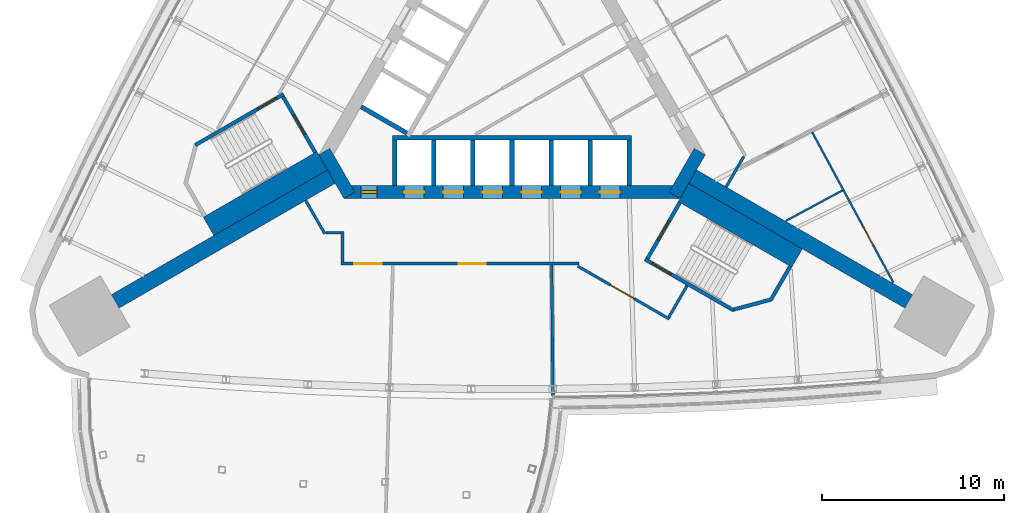
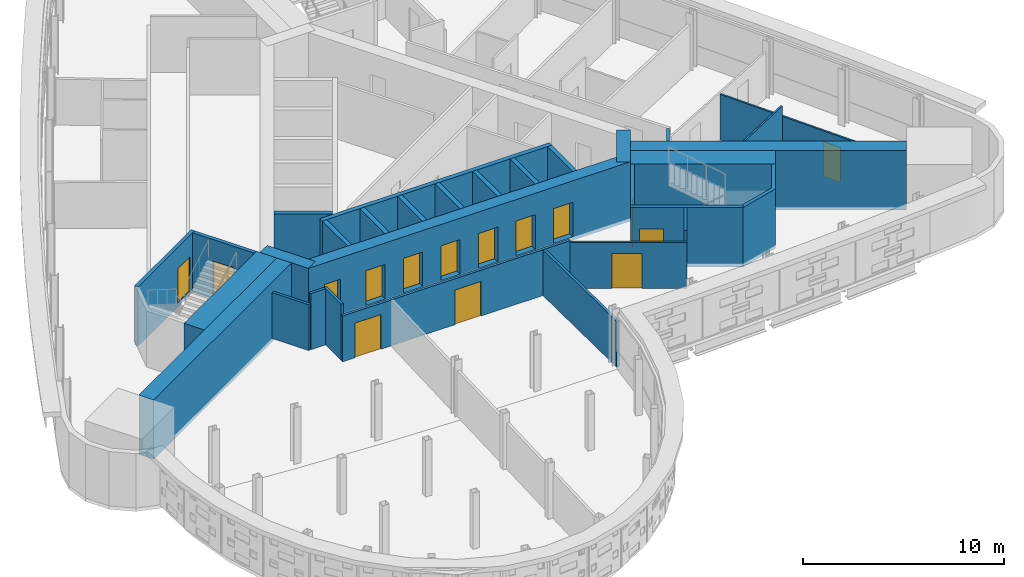
# One storey, part 9 of 15: 31 walls, 15 doors, 15 openings.
"""IFC4 building model written with IfcOpenShell, lengths in metres."""

from ifc_helpers import new_model, si_unit, direction, frame, frame_2d, origin, place, context, subcontext, project, spatial, polyline, rectangle, outline, extrude, material, layer, layer_set, type_object, element, fill, save


model = new_model("IFC4")

# Units and contexts
model_context = context("Model", 3, precision=1e-05, world=origin(), true_north=direction((0.0, 1.0)))
body_context = subcontext(model_context, "Body", "Model", "MODEL_VIEW")
ifc_project = project(units=[si_unit("LENGTHUNIT", "METRE"), si_unit("AREAUNIT", "SQUARE_METRE"), si_unit("VOLUMEUNIT", "CUBIC_METRE"), si_unit("PLANEANGLEUNIT", "RADIAN"), si_unit("MASSUNIT", "GRAM", prefix="KILO")], contexts=[model_context])

# Site, building, storey
site_placement = place(None, origin())
site = spatial("IfcSite", under=ifc_project, at=site_placement, CompositionType="ELEMENT")
building_placement = place(site_placement, origin())
building = spatial("IfcBuilding", under=site, at=building_placement, Name="Noor Cloister Tower", CompositionType="ELEMENT")
storey_placement = place(building_placement, frame((0.0, 0.0, 58.199951171875)))
storey = spatial("IfcBuildingStorey", under=building, at=storey_placement, Name="L14", CompositionType="ELEMENT", Elevation=58.199951171875)

# Walls
ifc_material_1 = material(Name="Concrete C80/95", Category="concrete")
ifc_layer_1 = layer(ifc_material_1, 0.85009765625)
ifc_layer_set_1 = layer_set([ifc_layer_1], Name="Buttress wall 850 C80/95")
wall_type_1 = type_object("IfcWallType", Name="Buttress wall 850 C80/95", PredefinedType="SHEAR", material=ifc_layer_set_1)
for number, where, z_axis, x_axis, name in (
    (1, (-9.921630859375, -5.728271484375, -0.199951171875), (0.0, 0.0, 1.0), (-0.866030067197, -0.499991922645, 0.0), "Buttress wall SW L14"),
    (2, (9.921630859375, -5.728271484375, -0.199951171875), (0.0, 0.0, 1.0), (0.866030067197, -0.499991922645, 0.0), "Buttress wall SE L14"),
):
    element("IfcWall", number, at=place(storey_placement, frame(where, z_axis=z_axis, x_axis=x_axis)), inside=storey, type_object=wall_type_1, Name=name, PredefinedType="SHEAR", context=body_context, shape_type="SweptSolid", body=[
        extrude(rectangle(XDim=13.698486328125, YDim=0.85009765625, at=frame_2d((6.84912109375, 0.0))), origin(), (0.0, 0.0, 1.0), 3.60009765625),
    ])

# Wall, openings, doors
ifc_material_2 = material(Name="Concrete C80/95", Category="concrete")
ifc_layer_2 = layer(ifc_material_2, 0.699951171875)
ifc_layer_set_2 = layer_set([ifc_layer_2], Name="Core wall 700 C80/95")
wall_type_2 = type_object("IfcWallType", Name="Core wall 700 C80/95", PredefinedType="SHEAR", material=ifc_layer_set_2)
wall_1_placement = place(storey_placement, frame((-9.228759765625, -6.578125, -0.199951171875), z_axis=(0.0, 0.0, 1.0), x_axis=(1.0, 0.0, 0.0)))
wall_1 = element("IfcWall", 3, at=wall_1_placement, inside=storey, type_object=wall_type_2, Name="Core wall L14 1", PredefinedType="SHEAR", context=body_context, shape_type="SweptSolid", body=[
    extrude(rectangle(XDim=18.45751953125, YDim=0.699951171875, at=frame_2d((9.228759765625, 0.0))), origin(), (0.0, 0.0, 1.0), 3.60009765625),
])
opening_1_placement = place(wall_1_placement, frame((3.3037109375, 0.0, 0.199951171875)))
opening_1 = element("IfcOpeningElement", 4, at=opening_1_placement, cuts=wall_1, Name="Opening L14-LR1", PredefinedType="OPENING", context=body_context, shape_type="SweptSolid", body=[
    extrude(rectangle(XDim=1.10009765625, YDim=2.10009765625, at=frame_2d((0.550048828125, 1.050048828125))), frame((0.0, 0.35986328125, 0.0), z_axis=(0.0, -1.0, 0.0), x_axis=(1.0, 0.0, 0.0)), (0.0, 0.0, 1.0), 0.719970703125),
])
opening_2_placement = place(wall_1_placement, frame((5.45361328125, 0.0, 0.199951171875)))
opening_2 = element("IfcOpeningElement", 5, at=opening_2_placement, cuts=wall_1, Name="Opening L14-LR2", PredefinedType="OPENING", context=body_context, shape_type="SweptSolid", body=[
    extrude(rectangle(XDim=1.10009765625, YDim=2.10009765625, at=frame_2d((0.550048828125, 1.050048828125))), frame((0.0, 0.35986328125, 0.0), z_axis=(0.0, -1.0, 0.0), x_axis=(1.0, 0.0, 0.0)), (0.0, 0.0, 1.0), 0.719970703125),
])
opening_3_placement = place(wall_1_placement, frame((7.603759765625, 0.0, 0.199951171875)))
opening_3 = element("IfcOpeningElement", 6, at=opening_3_placement, cuts=wall_1, Name="Opening L14-LR3", PredefinedType="OPENING", context=body_context, shape_type="SweptSolid", body=[
    extrude(rectangle(XDim=1.10009765625, YDim=2.10009765625, at=frame_2d((0.550048828125, 1.050048828125))), frame((0.0, 0.35986328125, 0.0), z_axis=(0.0, -1.0, 0.0), x_axis=(1.0, 0.0, 0.0)), (0.0, 0.0, 1.0), 0.719970703125),
])
opening_4_placement = place(wall_1_placement, frame((9.753662109375, 0.0, 0.199951171875)))
opening_4 = element("IfcOpeningElement", 7, at=opening_4_placement, cuts=wall_1, Name="Opening L14-LR4", PredefinedType="OPENING", context=body_context, shape_type="SweptSolid", body=[
    extrude(rectangle(XDim=1.10009765625, YDim=2.10009765625, at=frame_2d((0.550048828125, 1.050048828125))), frame((0.0, 0.35986328125, 0.0), z_axis=(0.0, -1.0, 0.0), x_axis=(1.0, 0.0, 0.0)), (0.0, 0.0, 1.0), 0.719970703125),
])
opening_5_placement = place(wall_1_placement, frame((11.90380859375, 0.0, 0.199951171875)))
opening_5 = element("IfcOpeningElement", 8, at=opening_5_placement, cuts=wall_1, Name="Opening L14-LR5", PredefinedType="OPENING", context=body_context, shape_type="SweptSolid", body=[
    extrude(rectangle(XDim=1.10009765625, YDim=2.10009765625, at=frame_2d((0.550048828125, 1.050048828125))), frame((0.0, 0.35986328125, 0.0), z_axis=(0.0, -1.0, 0.0), x_axis=(1.0, 0.0, 0.0)), (0.0, 0.0, 1.0), 0.719970703125),
])
opening_6_placement = place(wall_1_placement, frame((14.0537109375, 0.0, 0.199951171875)))
opening_6 = element("IfcOpeningElement", 9, at=opening_6_placement, cuts=wall_1, Name="Opening L14-LR6", PredefinedType="OPENING", context=body_context, shape_type="SweptSolid", body=[
    extrude(rectangle(XDim=1.10009765625, YDim=2.10009765625, at=frame_2d((0.550048828125, 1.050048828125))), frame((0.0, 0.35986328125, 0.0), z_axis=(0.0, -1.0, 0.0), x_axis=(1.0, 0.0, 0.0)), (0.0, 0.0, 1.0), 0.719970703125),
])
opening_7_placement = place(wall_1_placement, frame((0.92626953125, 0.0, 0.199951171875)))
opening_7 = element("IfcOpeningElement", 10, at=opening_7_placement, cuts=wall_1, Name="Opening L14-907", PredefinedType="OPENING", context=body_context, shape_type="SweptSolid", body=[
    extrude(rectangle(XDim=0.89990234375, YDim=2.10009765625, at=frame_2d((0.449951171875, 1.050048828125))), frame((0.0, 0.35986328125, 0.0), z_axis=(0.0, -1.0, 0.0), x_axis=(1.0, 0.0, 0.0)), (0.0, 0.0, 1.0), 0.719970703125),
])
ifc_material_3 = material(Name="Steel", Category="steel")
door_type_1 = type_object("IfcDoorType", Name="Core door 900 x 2100 FD60", OperationType="SINGLE_SWING_LEFT", PredefinedType="DOOR", material=ifc_material_3)
door_1_placement = place(opening_7_placement, origin())
door_1 = element("IfcDoor", 11, at=door_1_placement, inside=storey, type_object=door_type_1, Name="Core door 7 L14", OperationType="SINGLE_SWING_LEFT", OverallHeight=2.10009765625, OverallWidth=0.89990234375, PredefinedType="DOOR", context=body_context, shape_type="SweptSolid", body=[
    extrude(rectangle(XDim=0.89990234375, YDim=2.10009765625, at=frame_2d((0.449951171875, 1.050048828125))), frame((0.0, 0.074951171875, 0.0), z_axis=(0.0, -1.0, 0.0), x_axis=(1.0, 0.0, 0.0)), (0.0, 0.0, 1.0), 0.14990234375),
])
fill(opening_7, door_1)
ifc_material_4 = material(Name="Stainless steel", Category="steel")
door_type_2 = type_object("IfcDoorType", Name="Lift landing door 1100 x 2100", OperationType="DOUBLE_DOOR_SLIDING", PredefinedType="DOOR", material=ifc_material_4)
door_2_placement = place(opening_1_placement, origin())
door_2 = element("IfcDoor", 12, at=door_2_placement, inside=storey, type_object=door_type_2, Name="Landing door LR1 L14", OperationType="DOUBLE_DOOR_SLIDING", OverallHeight=2.10009765625, OverallWidth=1.10009765625, PredefinedType="DOOR", context=body_context, shape_type="SweptSolid", body=[
    extrude(rectangle(XDim=1.10009765625, YDim=2.10009765625, at=frame_2d((0.550048828125, 1.050048828125))), frame((0.0, 0.02490234375, 0.0), z_axis=(0.0, -1.0, 0.0), x_axis=(1.0, 0.0, 0.0)), (0.0, 0.0, 1.0), 0.050048828125),
])
fill(opening_1, door_2)
door_3_placement = place(opening_2_placement, origin())
door_3 = element("IfcDoor", 13, at=door_3_placement, inside=storey, type_object=door_type_2, Name="Landing door LR2 L14", OperationType="DOUBLE_DOOR_SLIDING", OverallHeight=2.10009765625, OverallWidth=1.10009765625, PredefinedType="DOOR", context=body_context, shape_type="SweptSolid", body=[
    extrude(rectangle(XDim=1.10009765625, YDim=2.10009765625, at=frame_2d((0.550048828125, 1.050048828125))), frame((0.0, 0.02490234375, 0.0), z_axis=(0.0, -1.0, 0.0), x_axis=(1.0, 0.0, 0.0)), (0.0, 0.0, 1.0), 0.050048828125),
])
fill(opening_2, door_3)
door_4_placement = place(opening_3_placement, origin())
door_4 = element("IfcDoor", 14, at=door_4_placement, inside=storey, type_object=door_type_2, Name="Landing door LR3 L14", OperationType="DOUBLE_DOOR_SLIDING", OverallHeight=2.10009765625, OverallWidth=1.10009765625, PredefinedType="DOOR", context=body_context, shape_type="SweptSolid", body=[
    extrude(rectangle(XDim=1.10009765625, YDim=2.10009765625, at=frame_2d((0.550048828125, 1.050048828125))), frame((0.0, 0.02490234375, 0.0), z_axis=(0.0, -1.0, 0.0), x_axis=(1.0, 0.0, 0.0)), (0.0, 0.0, 1.0), 0.050048828125),
])
fill(opening_3, door_4)
door_5_placement = place(opening_4_placement, origin())
door_5 = element("IfcDoor", 15, at=door_5_placement, inside=storey, type_object=door_type_2, Name="Landing door LR4 L14", OperationType="DOUBLE_DOOR_SLIDING", OverallHeight=2.10009765625, OverallWidth=1.10009765625, PredefinedType="DOOR", context=body_context, shape_type="SweptSolid", body=[
    extrude(rectangle(XDim=1.10009765625, YDim=2.10009765625, at=frame_2d((0.550048828125, 1.050048828125))), frame((0.0, 0.02490234375, 0.0), z_axis=(0.0, -1.0, 0.0), x_axis=(1.0, 0.0, 0.0)), (0.0, 0.0, 1.0), 0.050048828125),
])
fill(opening_4, door_5)
door_6_placement = place(opening_5_placement, origin())
door_6 = element("IfcDoor", 16, at=door_6_placement, inside=storey, type_object=door_type_2, Name="Landing door LR5 L14", OperationType="DOUBLE_DOOR_SLIDING", OverallHeight=2.10009765625, OverallWidth=1.10009765625, PredefinedType="DOOR", context=body_context, shape_type="SweptSolid", body=[
    extrude(rectangle(XDim=1.10009765625, YDim=2.10009765625, at=frame_2d((0.550048828125, 1.050048828125))), frame((0.0, 0.02490234375, 0.0), z_axis=(0.0, -1.0, 0.0), x_axis=(1.0, 0.0, 0.0)), (0.0, 0.0, 1.0), 0.050048828125),
])
fill(opening_5, door_6)
door_7_placement = place(opening_6_placement, origin())
door_7 = element("IfcDoor", 17, at=door_7_placement, inside=storey, type_object=door_type_2, Name="Landing door LR6 L14", OperationType="DOUBLE_DOOR_SLIDING", OverallHeight=2.10009765625, OverallWidth=1.10009765625, PredefinedType="DOOR", context=body_context, shape_type="SweptSolid", body=[
    extrude(rectangle(XDim=1.10009765625, YDim=2.10009765625, at=frame_2d((0.550048828125, 1.050048828125))), frame((0.0, 0.02490234375, 0.0), z_axis=(0.0, -1.0, 0.0), x_axis=(1.0, 0.0, 0.0)), (0.0, 0.0, 1.0), 0.050048828125),
])
fill(opening_6, door_7)

# Walls
for number, where, z_axis, x_axis, name in (
    (18, (8.925537109375, -6.753173828125, -0.199951171875), (0.0, 0.0, 1.0), (0.500042739161, 0.866000726912, 0.0), "Core wall L14 2"),
    (19, (-10.311279296875, -4.353271484375, -0.199951171875), (0.0, 0.0, 1.0), (0.500042739161, -0.866000726912, 0.0), "Core wall L14 6"),
):
    element("IfcWall", number, at=place(storey_placement, frame(where, z_axis=z_axis, x_axis=x_axis)), inside=storey, type_object=wall_type_2, Name=name, PredefinedType="SHEAR", context=body_context, shape_type="SweptSolid", body=[
        extrude(rectangle(XDim=2.771240234375, YDim=0.699951171875, at=frame_2d((1.3857421875, 0.0))), origin(), (0.0, 0.0, 1.0), 3.60009765625),
    ])

# Wall, openings, doors
ifc_material_5 = material(Name="Gypsum board partition on steel studs, 150 mm", Category="steel")
ifc_layer_3 = layer(ifc_material_5, 0.14990234375)
ifc_layer_set_3 = layer_set([ifc_layer_3], Name="Flat wall 150")
wall_type_3 = type_object("IfcWallType", Name="Flat wall 150", PredefinedType="PARTITIONING", material=ifc_layer_set_3)
wall_2_placement = place(storey_placement, frame((3.68896484375, -10.503173828125, 0.0), z_axis=(0.0, 0.0, 1.0), x_axis=(-1.0, 0.0, 0.0)))
wall_2 = element("IfcWall", 20, at=wall_2_placement, inside=storey, type_object=wall_type_3, Name="Flat wall 150 L14 004", PredefinedType="PARTITIONING", context=body_context, shape_type="SweptSolid", body=[
    extrude(rectangle(XDim=13.067626953125, YDim=0.14990234375, at=frame_2d((6.53369140625, 0.0))), origin(), (0.0, 0.0, 1.0), 2.778076171875),
])
opening_8_placement = place(wall_2_placement, frame((10.851806640625, 0.0, 0.0)))
opening_8 = element("IfcOpeningElement", 21, at=opening_8_placement, cuts=wall_2, Name="Opening L14-009", PredefinedType="OPENING", context=body_context, shape_type="SweptSolid", body=[
    extrude(rectangle(XDim=1.5, YDim=2.10009765625, at=frame_2d((0.75, 1.050048828125))), frame((0.0, 0.0849609375, 0.0), z_axis=(0.0, -1.0, 0.0), x_axis=(1.0, 0.0, 0.0)), (0.0, 0.0, 1.0), 0.169921875),
])
opening_9_placement = place(wall_2_placement, frame((5.119384765625, 0.0, 0.0)))
opening_9 = element("IfcOpeningElement", 22, at=opening_9_placement, cuts=wall_2, Name="Opening L14-010", PredefinedType="OPENING", context=body_context, shape_type="SweptSolid", body=[
    extrude(rectangle(XDim=1.5, YDim=2.10009765625, at=frame_2d((0.75, 1.050048828125))), frame((0.0, 0.0849609375, 0.0), z_axis=(0.0, -1.0, 0.0), x_axis=(1.0, 0.0, 0.0)), (0.0, 0.0, 1.0), 0.169921875),
])
ifc_material_6 = material(Name="Timber door leaf with steel frame", Category="steel")
door_type_3 = type_object("IfcDoorType", Name="Double door 1500 FD60", OperationType="NOTDEFINED", PredefinedType="DOOR", material=ifc_material_6)
door_8_placement = place(opening_8_placement, origin())
door_8 = element("IfcDoor", 23, at=door_8_placement, inside=storey, type_object=door_type_3, Name="Double door 1500 L14-009", OperationType="DOUBLE_DOOR_SINGLE_SWING", OverallHeight=2.10009765625, OverallWidth=1.5, PredefinedType="DOOR", context=body_context, shape_type="SweptSolid", body=[
    extrude(rectangle(XDim=1.5, YDim=2.10009765625, at=frame_2d((0.75, 1.050048828125))), frame((0.0, 0.02490234375, 0.0), z_axis=(0.0, -1.0, 0.0), x_axis=(1.0, 0.0, 0.0)), (0.0, 0.0, 1.0), 0.050048828125),
])
fill(opening_8, door_8)
door_9_placement = place(opening_9_placement, origin())
door_9 = element("IfcDoor", 24, at=door_9_placement, inside=storey, type_object=door_type_3, Name="Double door 1500 L14-010", OperationType="DOUBLE_DOOR_SINGLE_SWING", OverallHeight=2.10009765625, OverallWidth=1.5, PredefinedType="DOOR", context=body_context, shape_type="SweptSolid", body=[
    extrude(rectangle(XDim=1.5, YDim=2.10009765625, at=frame_2d((0.75, 1.050048828125))), frame((0.0, 0.02490234375, 0.0), z_axis=(0.0, -1.0, 0.0), x_axis=(1.0, 0.0, 0.0)), (0.0, 0.0, 1.0), 0.050048828125),
])
fill(opening_9, door_9)

# Wall, opening, door
wall_3_placement = place(storey_placement, frame((8.64111328125, -13.5458984375, 0.0), z_axis=(0.0, 0.0, 1.0), x_axis=(-0.866042728627, 0.499969991291, 0.0)))
wall_3 = element("IfcWall", 25, at=wall_3_placement, inside=storey, type_object=wall_type_3, Name="Flat wall 150 L14 005", PredefinedType="PARTITIONING", context=body_context, shape_type="SweptSolid", body=[
    extrude(rectangle(XDim=5.805419921875, YDim=0.14990234375, at=frame_2d((2.90283203125, 0.0))), origin(), (0.0, 0.0, 1.0), 2.778076171875),
])
opening_10_placement = place(wall_3_placement, frame((2.22509765625, 0.0, 0.0)))
opening_10 = element("IfcOpeningElement", 26, at=opening_10_placement, cuts=wall_3, Name="Opening L14-011", PredefinedType="OPENING", context=body_context, shape_type="SweptSolid", body=[
    extrude(rectangle(XDim=1.5, YDim=2.10009765625, at=frame_2d((0.75, 1.050048828125))), frame((0.0, 0.0849609375, 0.0), z_axis=(0.0, -1.0, 0.0), x_axis=(1.0, 0.0, 0.0)), (0.0, 0.0, 1.0), 0.169921875),
])
door_10_placement = place(opening_10_placement, origin())
door_10 = element("IfcDoor", 27, at=door_10_placement, inside=storey, type_object=door_type_3, Name="Double door 1500 L14-011", OperationType="DOUBLE_DOOR_SINGLE_SWING", OverallHeight=2.10009765625, OverallWidth=1.5, PredefinedType="DOOR", context=body_context, shape_type="SweptSolid", body=[
    extrude(rectangle(XDim=1.5, YDim=2.10009765625, at=frame_2d((0.75, 1.050048828125))), frame((0.0, 0.02490234375, 0.0), z_axis=(0.0, -1.0, 0.0), x_axis=(1.0, 0.0, 0.0)), (0.0, 0.0, 1.0), 0.050048828125),
])
fill(opening_10, door_10)

# Walls
wall_4_placement = place(storey_placement, frame((8.613525390625, -13.443603515625, 0.0), z_axis=(0.0, 0.0, 1.0), x_axis=(0.499972520799, 0.866041268327, 0.0)))
element("IfcWall", 28, at=wall_4_placement, inside=storey, type_object=wall_type_3, Name="Flat wall 150 L14 010", PredefinedType="PARTITIONING", context=body_context, shape_type="SweptSolid", body=[
    extrude(rectangle(XDim=2.0, YDim=0.14990234375, at=frame_2d((1.0, 0.0))), origin(), (0.0, 0.0, 1.0), 3.400146484375),
])
wall_5_placement = place(storey_placement, frame((-11.332763671875, -7.03369140625, 0.0), z_axis=(0.0, 0.0, 1.0), x_axis=(0.499981853705, -0.866035880299, 0.0)))
element("IfcWall", 29, at=wall_5_placement, inside=storey, type_object=wall_type_3, Name="Flat wall 150 L14 011", PredefinedType="PARTITIONING", context=body_context, shape_type="SweptSolid", body=[
    extrude(rectangle(XDim=2.1181640625, YDim=0.14990234375, at=frame_2d((1.05908203125, 0.0))), origin(), (0.0, 0.0, 1.0), 2.778076171875),
])
wall_6_placement = place(storey_placement, frame((11.7578125, -6.297607421875, 0.0), z_axis=(0.0, 0.0, 1.0), x_axis=(0.500049131089, 0.865997036079, 0.0)))
element("IfcWall", 30, at=wall_6_placement, inside=storey, type_object=wall_type_3, Name="Flat wall 150 L14 012", PredefinedType="PARTITIONING", context=body_context, shape_type="SweptSolid", body=[
    extrude(rectangle(XDim=1.940673828125, YDim=0.14990234375, at=frame_2d((0.97021484375, 0.0))), origin(), (0.0, 0.0, 1.0), 2.778076171875),
])
wall_7_placement = place(storey_placement, frame((-9.3037109375, -10.42822265625, 0.0), z_axis=(0.0, 0.0, 1.0), x_axis=(0.0, 1.0, 0.0)))
element("IfcWall", 31, at=wall_7_placement, inside=storey, type_object=wall_type_3, Name="Flat wall 150 L14 014", PredefinedType="PARTITIONING", context=body_context, shape_type="SweptSolid", body=[
    extrude(rectangle(XDim=1.699951171875, YDim=0.14990234375, at=frame_2d((0.85009765625, 0.0))), origin(), (0.0, 0.0, 1.0), 3.400146484375),
])
wall_8_placement = place(storey_placement, frame((-10.208740234375, -8.80322265625, 0.0), z_axis=(0.0, 0.0, 1.0), x_axis=(1.0, 0.0, 0.0)))
element("IfcWall", 32, at=wall_8_placement, inside=storey, type_object=wall_type_3, Name="Flat wall 150 L14 015", PredefinedType="PARTITIONING", context=body_context, shape_type="SweptSolid", body=[
    extrude(rectangle(XDim=0.830078125, YDim=0.14990234375, at=frame_2d((0.4150390625, 0.0))), origin(), (0.0, 0.0, 1.0), 3.400146484375),
])
wall_9_placement = place(storey_placement, frame((2.248291015625, -17.7841796875, 0.0), z_axis=(0.0, 0.0, 1.0), x_axis=(-0.009520796395, 0.999954676191, 0.0)))
element("IfcWall", 33, at=wall_9_placement, inside=storey, type_object=wall_type_3, Name="Flat wall 150 L14 020", PredefinedType="PARTITIONING", context=body_context, shape_type="SweptSolid", body=[
    extrude(rectangle(XDim=7.20556640625, YDim=0.14990234375, at=frame_2d((3.602783203125, 0.0))), origin(), (0.0, 0.0, 1.0), 2.778076171875),
])

# Wall, opening, door
ifc_material_7 = material(Name="Gypsum board partition on steel studs, 100 mm", Category="steel")
ifc_layer_4 = layer(ifc_material_7, 0.10009765625)
ifc_layer_set_4 = layer_set([ifc_layer_4], Name="Partition 100")
wall_type_4 = type_object("IfcWallType", Name="Partition 100", PredefinedType="PARTITIONING", material=ifc_layer_set_4)
wall_10_placement = place(storey_placement, frame((20.944091796875, -11.552001953125, 0.0), z_axis=(0.0, 0.0, 1.0), x_axis=(-0.475001956127, 0.879984739456, 0.0)))
wall_10 = element("IfcWall", 34, at=wall_10_placement, inside=storey, type_object=wall_type_4, Name="Partition 100 L14 023", PredefinedType="PARTITIONING", context=body_context, shape_type="SweptSolid", body=[
    extrude(rectangle(XDim=9.389892578125, YDim=0.10009765625, at=frame_2d((4.69482421875, 0.0))), origin(), (0.0, 0.0, 1.0), 2.778076171875),
])
opening_11_placement = place(wall_10_placement, frame((2.369873046875, 0.0, 0.0)))
opening_11 = element("IfcOpeningElement", 35, at=opening_11_placement, cuts=wall_10, Name="Opening L14-014", PredefinedType="OPENING", context=body_context, shape_type="SweptSolid", body=[
    extrude(rectangle(XDim=1.0, YDim=2.10009765625, at=frame_2d((0.5, 1.050048828125))), frame((0.0, 0.06005859375, 0.0), z_axis=(0.0, -1.0, 0.0), x_axis=(1.0, 0.0, 0.0)), (0.0, 0.0, 1.0), 0.1201171875),
])
ifc_material_8 = material(Name="Timber door leaf with steel frame", Category="steel")
door_type_4 = type_object("IfcDoorType", Name="Interior door 1000", OperationType="NOTDEFINED", PredefinedType="DOOR", material=ifc_material_8)
door_11_placement = place(opening_11_placement, origin())
door_11 = element("IfcDoor", 36, at=door_11_placement, inside=storey, type_object=door_type_4, Name="Interior door 1000 L14-014", OperationType="SINGLE_SWING_LEFT", OverallHeight=2.10009765625, OverallWidth=1.0, PredefinedType="DOOR", context=body_context, shape_type="SweptSolid", body=[
    extrude(rectangle(XDim=1.0, YDim=2.10009765625, at=frame_2d((0.5, 1.050048828125))), frame((0.0, 0.02490234375, 0.0), z_axis=(0.0, -1.0, 0.0), x_axis=(1.0, 0.0, 0.0)), (0.0, 0.0, 1.0), 0.050048828125),
])
fill(opening_11, door_11)

# Walls
wall_11_placement = place(storey_placement, frame((18.14990234375, -6.480712890625, 0.0), z_axis=(0.0, 0.0, 1.0), x_axis=(-0.879976377599, -0.475017446909, 0.0)))
element("IfcWall", 37, at=wall_11_placement, inside=storey, type_object=wall_type_4, Name="Partition 100 L14 028", PredefinedType="PARTITIONING", context=body_context, shape_type="SweptSolid", body=[
    extrude(rectangle(XDim=3.537109375, YDim=0.10009765625, at=frame_2d((1.7685546875, 0.0))), origin(), (0.0, 0.0, 1.0), 3.400146484375),
])
ifc_material_9 = material(Name="Concrete C80/95", Category="concrete")
ifc_layer_5 = layer(ifc_material_9, 0.25)
ifc_layer_set_5 = layer_set([ifc_layer_5], Name="Shaft wall 250 C80/95")
wall_type_5 = type_object("IfcWallType", Name="Shaft wall 250 C80/95", PredefinedType="PARTITIONING", material=ifc_layer_set_5)
for number, where, z_axis, x_axis, name in (
    (38, (-6.449951171875, -6.228271484375, -0.199951171875), (0.0, 0.0, 1.0), (0.0, 1.0, 0.0), "Lift shaft wall L14 S 1"),
    (39, (-4.300048828125, -6.228271484375, -0.199951171875), (0.0, 0.0, 1.0), (0.0, 1.0, 0.0), "Lift shaft wall L14 S 2"),
    (40, (-2.14990234375, -6.228271484375, -0.199951171875), (0.0, 0.0, 1.0), (0.0, 1.0, 0.0), "Lift shaft wall L14 S 3"),
    (41, (0.0, -6.228271484375, -0.199951171875), (0.0, 0.0, 1.0), (0.0, 1.0, 0.0), "Lift shaft wall L14 S 4"),
    (42, (2.14990234375, -6.228271484375, -0.199951171875), (0.0, 0.0, 1.0), (0.0, 1.0, 0.0), "Lift shaft wall L14 S 5"),
    (43, (4.300048828125, -6.228271484375, -0.199951171875), (0.0, 0.0, 1.0), (0.0, 1.0, 0.0), "Lift shaft wall L14 S 6"),
    (44, (6.449951171875, -6.228271484375, -0.199951171875), (0.0, 0.0, 1.0), (0.0, 1.0, 0.0), "Lift shaft wall L14 S 7"),
):
    element("IfcWall", number, at=place(storey_placement, frame(where, z_axis=z_axis, x_axis=x_axis)), inside=storey, type_object=wall_type_5, Name=name, PredefinedType="PARTITIONING", context=body_context, shape_type="SweptSolid", body=[
        extrude(rectangle(XDim=2.5, YDim=0.25, at=frame_2d((1.25, 0.0))), origin(), (0.0, 0.0, 1.0), 3.60009765625),
    ])
wall_12_placement = place(storey_placement, frame((-6.574951171875, -3.603271484375, 0.0), z_axis=(0.0, 0.0, 1.0), x_axis=(1.0, 0.0, 0.0)))
element("IfcWall", 45, at=wall_12_placement, inside=storey, type_object=wall_type_5, Name="Lift shaft back wall L14 S", PredefinedType="PARTITIONING", context=body_context, shape_type="SweptSolid", body=[
    extrude(rectangle(XDim=13.14990234375, YDim=0.25, at=frame_2d((6.574951171875, 0.0))), origin(), (0.0, 0.0, 1.0), 3.400146484375),
])
wall_13_placement = place(storey_placement, frame((-8.28125, -1.88720703125, -0.199951171875), z_axis=(0.0, 0.0, 1.0), x_axis=(0.866032775405, -0.499987231761, 0.0)))
element("IfcWall", 46, at=wall_13_placement, inside=storey, type_object=wall_type_5, Name="Lift shaft wall L14 NW 6", PredefinedType="PARTITIONING", context=body_context, shape_type="SweptSolid", body=[
    extrude(rectangle(XDim=2.89990234375, YDim=0.25, at=frame_2d((1.449951171875, 0.0))), origin(), (0.0, 0.0, 1.0), 3.60009765625),
])
ifc_material_10 = material(Name="Concrete C80/95", Category="concrete")
ifc_layer_6 = layer(ifc_material_10, 1.160888671875)
ifc_layer_set_6 = layer_set([ifc_layer_6], Name="Stair enclosure wall 1161 C80/95")
wall_type_6 = type_object("IfcWallType", Name="Stair enclosure wall 1161 C80/95", PredefinedType="SHEAR", material=ifc_layer_set_6)
for number, where, z_axis, x_axis, name in (
    (47, (-10.42431640625, -4.857666015625, -0.199951171875), (0.0, 0.0, 1.0), (-0.866033125095, -0.499986626058, 0.0), "Stair enclosure wall ST2 L14 riser side"),
    (48, (9.4189453125, -6.598876953125, -0.199951171875), (0.0, 0.0, 1.0), (0.866033125095, -0.499986626058, 0.0), "Stair enclosure wall ST3 L14 riser side"),
):
    element("IfcWall", number, at=place(storey_placement, frame(where, z_axis=z_axis, x_axis=x_axis)), inside=storey, type_object=wall_type_6, Name=name, PredefinedType="SHEAR", context=body_context, shape_type="SweptSolid", body=[
        extrude(rectangle(XDim=7.199951171875, YDim=1.16064453125, at=frame_2d((3.60009765625, 0.0))), origin(), (0.0, 0.0, 1.0), 3.60009765625),
    ])

# Wall, opening, door
ifc_material_11 = material(Name="Concrete C80/95", Category="concrete")
ifc_layer_7 = layer(ifc_material_11, 0.199951171875)
ifc_layer_set_7 = layer_set([ifc_layer_7], Name="Stair enclosure wall 200 C80/95")
wall_type_7 = type_object("IfcWallType", Name="Stair enclosure wall 200 C80/95", PredefinedType="SHEAR", material=ifc_layer_set_7)
wall_14_placement = place(storey_placement, frame((-12.575927734375, -1.33056640625, -0.199951171875), z_axis=(0.0, 0.0, 1.0), x_axis=(0.499970499736, -0.8660424351, 0.0)))
wall_14 = element("IfcWall", 49, at=wall_14_placement, inside=storey, type_object=wall_type_7, Name="Stair enclosure wall ST2 L14 near end", PredefinedType="SHEAR", context=body_context, shape_type="SweptSolid", body=[
    extrude(rectangle(XDim=3.550048828125, YDim=0.199951171875, at=frame_2d((1.77490234375, 0.0))), origin(), (0.0, 0.0, 1.0), 3.60009765625),
])
opening_12_placement = place(wall_14_placement, frame((1.175048828125, 0.0, 0.199951171875)))
opening_12 = element("IfcOpeningElement", 50, at=opening_12_placement, cuts=wall_14, Name="Opening L14-ST2L", PredefinedType="OPENING", context=body_context, shape_type="SweptSolid", body=[
    extrude(rectangle(XDim=1.199951171875, YDim=2.10009765625, at=frame_2d((0.60009765625, 1.050048828125))), frame((0.0, 0.10986328125, 0.0), z_axis=(0.0, -1.0, 0.0), x_axis=(1.0, 0.0, 0.0)), (0.0, 0.0, 1.0), 0.219970703125),
])
ifc_material_12 = material(Name="Steel", Category="steel")
door_type_5 = type_object("IfcDoorType", Name="Stair door 1200 x 2100 FD120", OperationType="SINGLE_SWING_LEFT", PredefinedType="DOOR", material=ifc_material_12)
door_12_placement = place(opening_12_placement, origin())
door_12 = element("IfcDoor", 51, at=door_12_placement, inside=storey, type_object=door_type_5, Name="Stair door ST2 L14", OperationType="SINGLE_SWING_RIGHT", OverallHeight=2.10009765625, OverallWidth=1.199951171875, PredefinedType="DOOR", context=body_context, shape_type="SweptSolid", body=[
    extrude(rectangle(XDim=1.199951171875, YDim=2.10009765625, at=frame_2d((0.60009765625, 1.050048828125))), frame((0.0, 0.02490234375, 0.0), z_axis=(0.0, -1.0, 0.0), x_axis=(1.0, 0.0, 0.0)), (0.0, 0.0, 1.0), 0.050048828125),
])
fill(opening_12, door_12)

wall_15_placement = place(storey_placement, frame((-12.539306640625, -1.194091796875, -0.199951171875), z_axis=(0.0, 0.0, 1.0), x_axis=(-0.866045472092, -0.499965239061, 0.0)))
wall_15 = element("IfcWall", 52, at=wall_15_placement, inside=storey, type_object=wall_type_7, Name="Stair enclosure wall ST2 L14 outer side", PredefinedType="SHEAR", context=body_context, shape_type="SweptSolid", body=[
    extrude(rectangle(XDim=5.60009765625, YDim=0.199951171875, at=frame_2d((2.800048828125, 0.0))), origin(), (0.0, 0.0, 1.0), 3.60009765625),
])
opening_13_placement = place(wall_15_placement, frame((0.449951171875, 0.0, 0.199951171875)))
opening_13 = element("IfcOpeningElement", 53, at=opening_13_placement, cuts=wall_15, Name="Opening L14-ST2C", PredefinedType="OPENING", context=body_context, shape_type="SweptSolid", body=[
    extrude(rectangle(XDim=1.199951171875, YDim=2.10009765625, at=frame_2d((0.60009765625, 1.050048828125))), frame((0.0, 0.10986328125, 0.0), z_axis=(0.0, -1.0, 0.0), x_axis=(1.0, 0.0, 0.0)), (0.0, 0.0, 1.0), 0.219970703125),
])
door_13_placement = place(opening_13_placement, origin())
door_13 = element("IfcDoor", 54, at=door_13_placement, inside=storey, type_object=door_type_5, Name="Stair door ST2 L14", OperationType="SINGLE_SWING_LEFT", OverallHeight=2.10009765625, OverallWidth=1.199951171875, PredefinedType="DOOR", context=body_context, shape_type="SweptSolid", body=[
    extrude(rectangle(XDim=1.199951171875, YDim=2.10009765625, at=frame_2d((0.60009765625, 1.050048828125))), frame((0.0, 0.02490234375, 0.0), z_axis=(0.0, -1.0, 0.0), x_axis=(1.0, 0.0, 0.0)), (0.0, 0.0, 1.0), 0.050048828125),
])
fill(opening_13, door_13)

wall_16_placement = place(storey_placement, frame((7.440185546875, -10.225830078125, -0.199951171875), z_axis=(0.0, 0.0, 1.0), x_axis=(0.500022077904, 0.866012656725, 0.0)))
wall_16 = element("IfcWall", 55, at=wall_16_placement, inside=storey, type_object=wall_type_7, Name="Stair enclosure wall ST3 L14 near end", PredefinedType="SHEAR", context=body_context, shape_type="SweptSolid", body=[
    extrude(rectangle(XDim=3.550048828125, YDim=0.199951171875, at=frame_2d((1.77490234375, 0.0))), origin(), (0.0, 0.0, 1.0), 3.60009765625),
])
opening_14_placement = place(wall_16_placement, frame((1.175048828125, 0.0, 0.199951171875)))
opening_14 = element("IfcOpeningElement", 56, at=opening_14_placement, cuts=wall_16, Name="Opening L14-ST3L", PredefinedType="OPENING", context=body_context, shape_type="SweptSolid", body=[
    extrude(rectangle(XDim=1.199951171875, YDim=2.10009765625, at=frame_2d((0.60009765625, 1.050048828125))), frame((0.0, 0.10986328125, 0.0), z_axis=(0.0, -1.0, 0.0), x_axis=(1.0, 0.0, 0.0)), (0.0, 0.0, 1.0), 0.219970703125),
])
door_14_placement = place(opening_14_placement, origin())
door_14 = element("IfcDoor", 57, at=door_14_placement, inside=storey, type_object=door_type_5, Name="Stair door ST3 L14", OperationType="SINGLE_SWING_RIGHT", OverallHeight=2.10009765625, OverallWidth=1.199951171875, PredefinedType="DOOR", context=body_context, shape_type="SweptSolid", body=[
    extrude(rectangle(XDim=1.199951171875, YDim=2.10009765625, at=frame_2d((0.60009765625, 1.050048828125))), frame((0.0, 0.02490234375, 0.0), z_axis=(0.0, -1.0, 0.0), x_axis=(1.0, 0.0, 0.0)), (0.0, 0.0, 1.0), 0.050048828125),
])
fill(opening_14, door_14)

wall_17_placement = place(storey_placement, frame((7.3037109375, -10.262451171875, -0.199951171875), z_axis=(0.0, 0.0, 1.0), x_axis=(0.866026594901, -0.49999793692, 0.0)))
wall_17 = element("IfcWall", 58, at=wall_17_placement, inside=storey, type_object=wall_type_7, Name="Stair enclosure wall ST3 L14 outer side", PredefinedType="SHEAR", context=body_context, shape_type="SweptSolid", body=[
    extrude(rectangle(XDim=5.60009765625, YDim=0.199951171875, at=frame_2d((2.800048828125, 0.0))), origin(), (0.0, 0.0, 1.0), 3.60009765625),
])
opening_15_placement = place(wall_17_placement, frame((0.449951171875, 0.0, 0.199951171875)))
opening_15 = element("IfcOpeningElement", 59, at=opening_15_placement, cuts=wall_17, Name="Opening L14-ST3C", PredefinedType="OPENING", context=body_context, shape_type="SweptSolid", body=[
    extrude(rectangle(XDim=1.199951171875, YDim=2.10009765625, at=frame_2d((0.60009765625, 1.050048828125))), frame((0.0, 0.10986328125, 0.0), z_axis=(0.0, -1.0, 0.0), x_axis=(1.0, 0.0, 0.0)), (0.0, 0.0, 1.0), 0.219970703125),
])
door_15_placement = place(opening_15_placement, origin())
door_15 = element("IfcDoor", 60, at=door_15_placement, inside=storey, type_object=door_type_5, Name="Stair door ST3 L14", OperationType="SINGLE_SWING_LEFT", OverallHeight=2.10009765625, OverallWidth=1.199951171875, PredefinedType="DOOR", context=body_context, shape_type="SweptSolid", body=[
    extrude(rectangle(XDim=1.199951171875, YDim=2.10009765625, at=frame_2d((0.60009765625, 1.050048828125))), frame((0.0, 0.02490234375, 0.0), z_axis=(0.0, -1.0, 0.0), x_axis=(1.0, 0.0, 0.0)), (0.0, 0.0, 1.0), 0.050048828125),
])
fill(opening_15, door_15)

# Wall
ifc_material_13 = material(Name="Concrete C80/95", Category="concrete")
wall_type_8 = type_object("IfcWallType", Name="Stair far end wall C80/95", PredefinedType="SHEAR", material=ifc_material_13)
wall_18_placement = place(storey_placement, frame((0.0, 0.0, -0.199951171875)))
element("IfcWall", 61, at=wall_18_placement, inside=storey, type_object=wall_type_8, Name="Stair enclosure wall ST3 L14 far end", PredefinedType="SHEAR", context=body_context, shape_type="SweptSolid", body=[
    extrude(outline(polyline([(12.103515625, -13.14892578125), (14.2890625, -12.5634765625), (15.364013671875, -10.701416015625), (15.19091796875, -10.601318359375), (14.1572265625, -12.3916015625), (12.131591796875, -12.934326171875), (12.20361328125, -12.975830078125), (12.20361328125, -12.975830078125), (12.20361328125, -12.975830078125), (12.20361328125, -12.975830078125), (12.20361328125, -12.975830078125), (12.20361328125, -12.975830078125), (12.20361328125, -12.975830078125), (12.20361328125, -12.975830078125), (12.20361328125, -12.975830078125), (12.20361328125, -12.975830078125), (12.20361328125, -12.975830078125), (12.20361328125, -12.975830078125), (12.20361328125, -12.975830078125), (12.20361328125, -12.975830078125), (12.20361328125, -12.975830078125), (12.20361328125, -12.975830078125), (12.20361328125, -12.975830078125), (12.103515625, -13.14892578125)])), origin(), (0.0, 0.0, 1.0), 3.60009765625),
])

save(model, "model.ifc")
